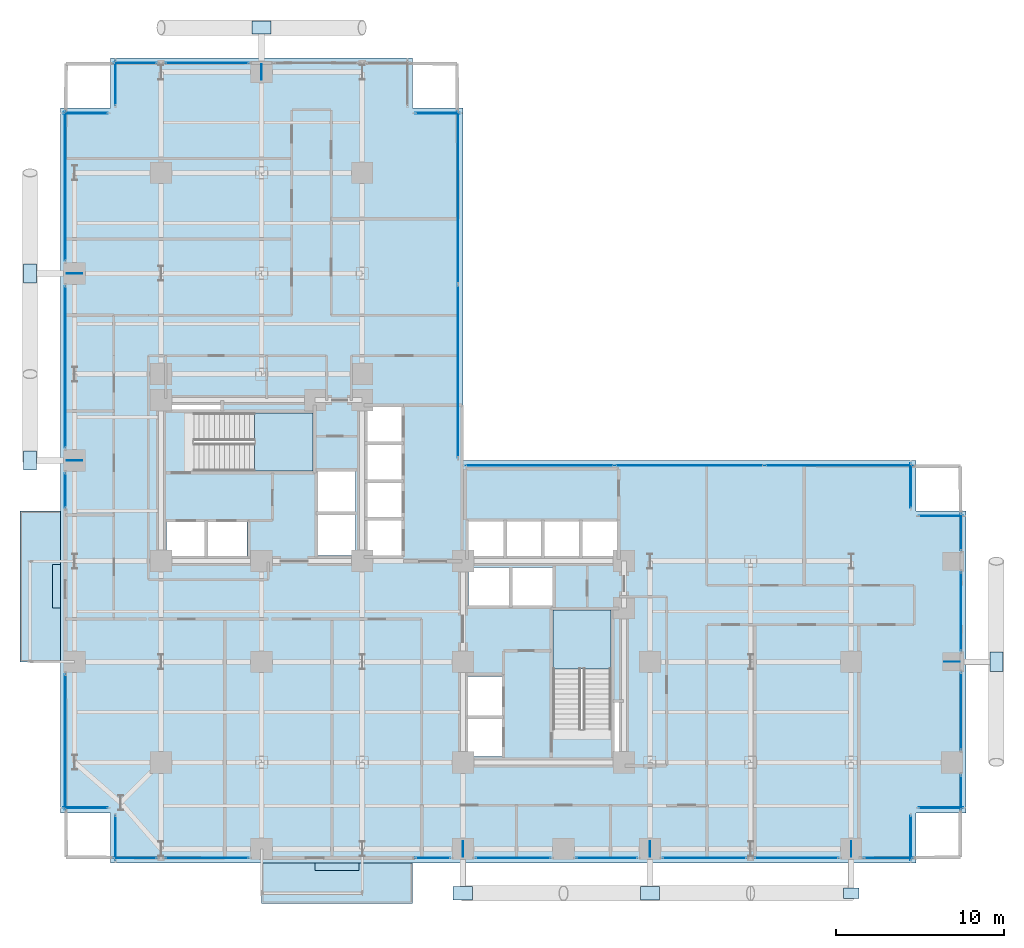
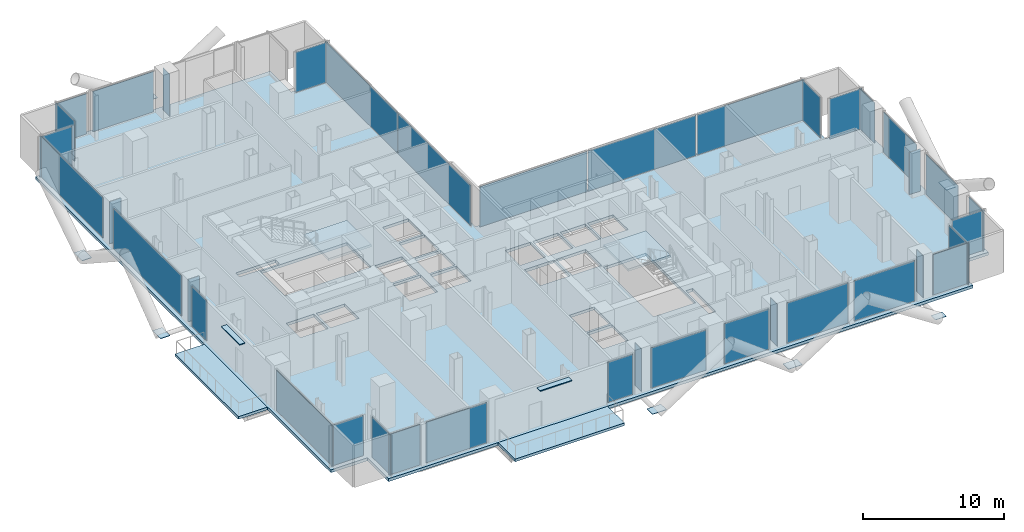
# One storey, part 17 of 25: 48 plates, 5 slabs, 31 elements without a shape of their own.
"""IFC4 building model written with IfcOpenShell, lengths in metres."""

from ifc_helpers import new_model, si_unit, direction, frame, origin, origin_2d, place, context, subcontext, project, spatial, polyline, rectangle, outline, extrude, material, layer, layer_set, type_object, element, aggregate, save


model = new_model("IFC4")

# Units and contexts
model_context = context("Model", 3, precision=1e-05, world=origin(), true_north=direction((0.0, 1.0)))
body_context = subcontext(model_context, "Body", "Model", "MODEL_VIEW")
ifc_project = project(units=[si_unit("LENGTHUNIT", "METRE"), si_unit("AREAUNIT", "SQUARE_METRE"), si_unit("VOLUMEUNIT", "CUBIC_METRE"), si_unit("PLANEANGLEUNIT", "RADIAN"), si_unit("MASSUNIT", "GRAM", prefix="KILO"), si_unit("THERMODYNAMICTEMPERATUREUNIT", "KELVIN"), si_unit("POWERUNIT", "WATT")], contexts=[model_context])

# Site, building, storey
site_placement = place(None, origin())
site = spatial("IfcSite", under=ifc_project, at=site_placement, CompositionType="ELEMENT")
building_placement = place(site_placement, origin())
building = spatial("IfcBuilding", under=site, at=building_placement, Name="Svarakhadi Broadcast Tower", CompositionType="ELEMENT")
storey_placement = place(building_placement, frame((0.0, 0.0, 67.5)))
storey = spatial("IfcBuildingStorey", under=building, at=storey_placement, Name="L15", CompositionType="ELEMENT", Elevation=67.5)

# Curtain wall, plate
ifc_material_1 = material(Name="Anodised Bronze Aluminium AA 6063-T6", Category="aluminium")
ifc_layer_1 = layer(ifc_material_1, 0.219970703125)
ifc_layer_set_1 = layer_set([ifc_layer_1], Name="Anodised Bronze Aluminium AA 6063-T6")
curtain_wall_type = type_object("IfcCurtainWallType", Name="CW_Sys_02", PredefinedType="NOTDEFINED", material=ifc_layer_set_1)
curtain_wall_1_placement = place(storey_placement, origin())
curtain_wall_1 = element("IfcCurtainWall", 1, at=curtain_wall_1_placement, inside=storey, type_object=curtain_wall_type, Name="L15 Unitised Facade Curtain Wall 01", PredefinedType="NOTDEFINED")
ifc_material_2 = material(Name="Double Low-E Laminated Acoustic Glass IGU 36 mm", Category="glass")
ifc_layer_2 = layer(ifc_material_2, 0.035888671875)
ifc_layer_set_2 = layer_set([ifc_layer_2], Name="Double Low-E Laminated Acoustic Glass IGU 36 mm")
plate_type_1 = type_object("IfcPlateType", Name="CW_Sys_02_Pnl", PredefinedType="CURTAIN_PANEL", material=ifc_layer_set_2)
plate_1_placement = place(storey_placement, frame((1.5, 3.300048828125, 0.074951171875), z_axis=(0.0, 0.0, 1.0), x_axis=(-1.0, 0.0, 0.0)))
plate_1 = element("IfcPlate", 2, at=plate_1_placement, type_object=plate_type_1, Name="CW-02 panel 1.1", PredefinedType="CURTAIN_PANEL", context=body_context, shape_type="SweptSolid", body=[
    extrude(rectangle(XDim=2.64990234375, YDim=0.035888671875, at=origin_2d()), origin(), (0.0, 0.0, 1.0), 3.5),
])
aggregate(curtain_wall_1, [plate_1])

curtain_wall_2_placement = place(storey_placement, origin())
curtain_wall_2 = element("IfcCurtainWall", 3, at=curtain_wall_2_placement, inside=storey, type_object=curtain_wall_type, Name="L15 West Curtain Wall 02", PredefinedType="NOTDEFINED")
plate_2_placement = place(storey_placement, frame((0.300048828125, 7.2099609375, 0.074951171875), z_axis=(0.0, 0.0, 1.0), x_axis=(0.0, 1.0, 0.0)))
plate_2 = element("IfcPlate", 4, at=plate_2_placement, type_object=plate_type_1, Name="CW-02 panel 1.1", PredefinedType="CURTAIN_PANEL", context=body_context, shape_type="SweptSolid", body=[
    extrude(rectangle(XDim=8.070068359375, YDim=0.035888671875, at=origin_2d()), origin(), (0.0, 0.0, 1.0), 3.5),
])
aggregate(curtain_wall_2, [plate_2])

curtain_wall_3_placement = place(storey_placement, origin())
curtain_wall_3 = element("IfcCurtainWall", 5, at=curtain_wall_3_placement, inside=storey, type_object=curtain_wall_type, Name="L15 West Curtain Wall 03 Bay 1", PredefinedType="NOTDEFINED")
plate_3_placement = place(storey_placement, frame((0.300048828125, 22.2099609375, 0.074951171875), z_axis=(0.0, 0.0, 1.0), x_axis=(0.0, 1.0, 0.0)))
plate_3 = element("IfcPlate", 6, at=plate_3_placement, type_object=plate_type_1, Name="CW-02 panel 1.1", PredefinedType="CURTAIN_PANEL", context=body_context, shape_type="SweptSolid", body=[
    extrude(rectangle(XDim=2.070068359375, YDim=0.035888671875, at=origin_2d()), origin(), (0.0, 0.0, 1.0), 3.5),
])
aggregate(curtain_wall_3, [plate_3])

curtain_wall_4_placement = place(storey_placement, origin())
curtain_wall_4 = element("IfcCurtainWall", 7, at=curtain_wall_4_placement, inside=storey, type_object=curtain_wall_type, Name="L15 West Curtain Wall 03 Bay 2", PredefinedType="NOTDEFINED")
plate_4_placement = place(storey_placement, frame((0.300048828125, 29.574951171875, 0.074951171875), z_axis=(0.0, 0.0, 1.0), x_axis=(0.0, 1.0, 0.0)))
plate_4 = element("IfcPlate", 8, at=plate_4_placement, type_object=plate_type_1, Name="CW-02 panel 1.1", PredefinedType="CURTAIN_PANEL", context=body_context, shape_type="SweptSolid", body=[
    extrude(rectangle(XDim=9.639892578125, YDim=0.035888671875, at=origin_2d()), origin(), (0.0, 0.0, 1.0), 3.5),
])
aggregate(curtain_wall_4, [plate_4])

curtain_wall_5_placement = place(storey_placement, origin())
curtain_wall_5 = element("IfcCurtainWall", 9, at=curtain_wall_5_placement, inside=storey, type_object=curtain_wall_type, Name="L15 West Curtain Wall 03 Bay 3", PredefinedType="NOTDEFINED")
plate_5_placement = place(storey_placement, frame((0.300048828125, 40.364990234375, 0.074951171875), z_axis=(0.0, 0.0, 1.0), x_axis=(0.0, 1.0, 0.0)))
plate_5 = element("IfcPlate", 10, at=plate_5_placement, type_object=plate_type_1, Name="CW-02 panel 1.1", PredefinedType="CURTAIN_PANEL", context=body_context, shape_type="SweptSolid", body=[
    extrude(rectangle(XDim=8.919921875, YDim=0.035888671875, at=origin_2d()), origin(), (0.0, 0.0, 1.0), 3.5),
])
aggregate(curtain_wall_5, [plate_5])

curtain_wall_6_placement = place(storey_placement, origin())
curtain_wall_6 = element("IfcCurtainWall", 11, at=curtain_wall_6_placement, inside=storey, type_object=curtain_wall_type, Name="L15 Unitised Facade Curtain Wall 04", PredefinedType="NOTDEFINED")
plate_6_placement = place(storey_placement, frame((1.5, 44.699951171875, 0.074951171875), z_axis=(0.0, 0.0, 1.0), x_axis=(1.0, 0.0, 0.0)))
plate_6 = element("IfcPlate", 12, at=plate_6_placement, type_object=plate_type_1, Name="CW-02 panel 1.1", PredefinedType="CURTAIN_PANEL", context=body_context, shape_type="SweptSolid", body=[
    extrude(rectangle(XDim=2.64990234375, YDim=0.035888671875, at=origin_2d()), origin(), (0.0, 0.0, 1.0), 3.5),
])
aggregate(curtain_wall_6, [plate_6])

curtain_wall_7_placement = place(storey_placement, origin())
curtain_wall_7 = element("IfcCurtainWall", 13, at=curtain_wall_7_placement, inside=storey, type_object=curtain_wall_type, Name="L15 Unitised Facade Curtain Wall 05", PredefinedType="NOTDEFINED")
plate_7_placement = place(storey_placement, frame((3.300048828125, 46.5, 0.074951171875), z_axis=(0.0, 0.0, 1.0), x_axis=(0.0, 1.0, 0.0)))
plate_7 = element("IfcPlate", 14, at=plate_7_placement, type_object=plate_type_1, Name="CW-02 panel 1.1", PredefinedType="CURTAIN_PANEL", context=body_context, shape_type="SweptSolid", body=[
    extrude(rectangle(XDim=2.64990234375, YDim=0.035888671875, at=origin_2d()), origin(), (0.0, 0.0, 1.0), 3.5),
])
aggregate(curtain_wall_7, [plate_7])

curtain_wall_8_placement = place(storey_placement, origin())
curtain_wall_8 = element("IfcCurtainWall", 15, at=curtain_wall_8_placement, inside=storey, type_object=curtain_wall_type, Name="L15 Unitised Facade Curtain Wall 06 Bay 1", PredefinedType="NOTDEFINED")
plate_8_placement = place(storey_placement, frame((4.4599609375, 47.699951171875, 0.074951171875), z_axis=(0.0, 0.0, 1.0), x_axis=(1.0, 0.0, 0.0)))
plate_8 = element("IfcPlate", 16, at=plate_8_placement, type_object=plate_type_1, Name="CW-02 panel 1.1", PredefinedType="CURTAIN_PANEL", context=body_context, shape_type="SweptSolid", body=[
    extrude(rectangle(XDim=2.570068359375, YDim=0.035888671875, at=origin_2d()), origin(), (0.0, 0.0, 1.0), 3.5),
])
aggregate(curtain_wall_8, [plate_8])

curtain_wall_9_placement = place(storey_placement, origin())
curtain_wall_9 = element("IfcCurtainWall", 17, at=curtain_wall_9_placement, inside=storey, type_object=curtain_wall_type, Name="L15 Unitised Facade Curtain Wall 06 Bay 2", PredefinedType="NOTDEFINED")
plate_9_placement = place(storey_placement, frame((8.75, 47.699951171875, 0.074951171875), z_axis=(0.0, 0.0, 1.0), x_axis=(1.0, 0.0, 0.0)))
plate_9 = element("IfcPlate", 18, at=plate_9_placement, type_object=plate_type_1, Name="CW-02 panel 1.1", PredefinedType="CURTAIN_PANEL", context=body_context, shape_type="SweptSolid", body=[
    extrude(rectangle(XDim=4.989990234375, YDim=0.035888671875, at=origin_2d()), origin(), (0.0, 0.0, 1.0), 3.5),
])
aggregate(curtain_wall_9, [plate_9])

curtain_wall_10_placement = place(storey_placement, origin())
curtain_wall_10 = element("IfcCurtainWall", 19, at=curtain_wall_10_placement, inside=storey, type_object=curtain_wall_type, Name="L15 Unitised Facade Curtain Wall 08", PredefinedType="NOTDEFINED")
plate_10_placement = place(storey_placement, frame((22.5, 44.699951171875, 0.074951171875), z_axis=(0.0, 0.0, 1.0), x_axis=(1.0, 0.0, 0.0)))
plate_10 = element("IfcPlate", 20, at=plate_10_placement, type_object=plate_type_1, Name="CW-02 panel 1.1", PredefinedType="CURTAIN_PANEL", context=body_context, shape_type="SweptSolid", body=[
    extrude(rectangle(XDim=2.64990234375, YDim=0.035888671875, at=origin_2d()), origin(), (0.0, 0.0, 1.0), 3.5),
])
aggregate(curtain_wall_10, [plate_10])

# Curtain wall, plates
curtain_wall_11_placement = place(storey_placement, origin())
curtain_wall_11 = element("IfcCurtainWall", 21, at=curtain_wall_11_placement, inside=storey, type_object=curtain_wall_type, Name="L15 Unitised Facade Curtain Wall 09", PredefinedType="NOTDEFINED")
plate_11_placement = place(storey_placement, frame((23.699951171875, 39.683837890625, 0.074951171875), z_axis=(0.0, 0.0, 1.0), x_axis=(0.0, -1.0, 0.0)))
plate_11 = element("IfcPlate", 22, at=plate_11_placement, type_object=plate_type_1, Name="CW-02 panel 1.1", PredefinedType="CURTAIN_PANEL", context=body_context, shape_type="SweptSolid", body=[
    extrude(rectangle(XDim=10.282470703125, YDim=0.035888671875, at=origin_2d()), origin(), (0.0, 0.0, 1.0), 3.5),
])
plate_12_placement = place(storey_placement, frame((23.699951171875, 29.316162109375, 0.074951171875), z_axis=(0.0, 0.0, 1.0), x_axis=(0.0, -1.0, 0.0)))
plate_12 = element("IfcPlate", 23, at=plate_12_placement, type_object=plate_type_1, Name="CW-02 panel 2.1", PredefinedType="CURTAIN_PANEL", context=body_context, shape_type="SweptSolid", body=[
    extrude(rectangle(XDim=10.282470703125, YDim=0.035888671875, at=origin_2d()), origin(), (0.0, 0.0, 1.0), 3.5),
])
aggregate(curtain_wall_11, [plate_11, plate_12])

curtain_wall_12_placement = place(storey_placement, origin())
curtain_wall_12 = element("IfcCurtainWall", 24, at=curtain_wall_12_placement, inside=storey, type_object=curtain_wall_type, Name="L15 Unitised Facade Curtain Wall 10", PredefinedType="NOTDEFINED")
plate_13_placement = place(storey_placement, frame((28.581298828125, 23.699951171875, 0.074951171875), z_axis=(0.0, 0.0, 1.0), x_axis=(1.0, 0.0, 0.0)))
plate_13 = element("IfcPlate", 25, at=plate_13_placement, type_object=plate_type_1, Name="CW-02 panel 1.1", PredefinedType="CURTAIN_PANEL", context=body_context, shape_type="SweptSolid", body=[
    extrude(rectangle(XDim=8.8125, YDim=0.035888671875, at=origin_2d()), origin(), (0.0, 0.0, 1.0), 3.5),
])
plate_14_placement = place(storey_placement, frame((37.5, 23.699951171875, 0.074951171875), z_axis=(0.0, 0.0, 1.0), x_axis=(1.0, 0.0, 0.0)))
plate_14 = element("IfcPlate", 26, at=plate_14_placement, type_object=plate_type_1, Name="CW-02 panel 2.1", PredefinedType="CURTAIN_PANEL", context=body_context, shape_type="SweptSolid", body=[
    extrude(rectangle(XDim=8.85498046875, YDim=0.035888671875, at=origin_2d()), origin(), (0.0, 0.0, 1.0), 3.5),
])
plate_15_placement = place(storey_placement, frame((46.418701171875, 23.699951171875, 0.074951171875), z_axis=(0.0, 0.0, 1.0), x_axis=(1.0, 0.0, 0.0)))
plate_15 = element("IfcPlate", 27, at=plate_15_placement, type_object=plate_type_1, Name="CW-02 panel 3.1", PredefinedType="CURTAIN_PANEL", context=body_context, shape_type="SweptSolid", body=[
    extrude(rectangle(XDim=8.8125, YDim=0.035888671875, at=origin_2d()), origin(), (0.0, 0.0, 1.0), 3.5),
])
aggregate(curtain_wall_12, [plate_13, plate_14, plate_15])

# Curtain wall, plate
curtain_wall_13_placement = place(storey_placement, origin())
curtain_wall_13 = element("IfcCurtainWall", 28, at=curtain_wall_13_placement, inside=storey, type_object=curtain_wall_type, Name="L15 Unitised Facade Curtain Wall 11", PredefinedType="NOTDEFINED")
plate_16_placement = place(storey_placement, frame((50.699951171875, 22.5, 0.074951171875), z_axis=(0.0, 0.0, 1.0), x_axis=(0.0, -1.0, 0.0)))
plate_16 = element("IfcPlate", 29, at=plate_16_placement, type_object=plate_type_1, Name="CW-02 panel 1.1", PredefinedType="CURTAIN_PANEL", context=body_context, shape_type="SweptSolid", body=[
    extrude(rectangle(XDim=2.64990234375, YDim=0.035888671875, at=origin_2d()), origin(), (0.0, 0.0, 1.0), 3.5),
])
aggregate(curtain_wall_13, [plate_16])

curtain_wall_14_placement = place(storey_placement, origin())
curtain_wall_14 = element("IfcCurtainWall", 30, at=curtain_wall_14_placement, inside=storey, type_object=curtain_wall_type, Name="L15 Unitised Facade Curtain Wall 12", PredefinedType="NOTDEFINED")
plate_17_placement = place(storey_placement, frame((52.5, 20.699951171875, 0.074951171875), z_axis=(0.0, 0.0, 1.0), x_axis=(1.0, 0.0, 0.0)))
plate_17 = element("IfcPlate", 31, at=plate_17_placement, type_object=plate_type_1, Name="CW-02 panel 1.1", PredefinedType="CURTAIN_PANEL", context=body_context, shape_type="SweptSolid", body=[
    extrude(rectangle(XDim=2.64990234375, YDim=0.035888671875, at=origin_2d()), origin(), (0.0, 0.0, 1.0), 3.5),
])
aggregate(curtain_wall_14, [plate_17])

curtain_wall_15_placement = place(storey_placement, origin())
curtain_wall_15 = element("IfcCurtainWall", 32, at=curtain_wall_15_placement, inside=storey, type_object=curtain_wall_type, Name="L15 Unitised Facade Curtain Wall 13 Bay 1", PredefinedType="NOTDEFINED")
plate_18_placement = place(storey_placement, frame((53.699951171875, 19.739990234375, 0.074951171875), z_axis=(0.0, 0.0, 1.0), x_axis=(0.0, -1.0, 0.0)))
plate_18 = element("IfcPlate", 33, at=plate_18_placement, type_object=plate_type_1, Name="CW-02 panel 1.1", PredefinedType="CURTAIN_PANEL", context=body_context, shape_type="SweptSolid", body=[
    extrude(rectangle(XDim=2.169921875, YDim=0.035888671875, at=origin_2d()), origin(), (0.0, 0.0, 1.0), 3.5),
])
aggregate(curtain_wall_15, [plate_18])

curtain_wall_16_placement = place(storey_placement, origin())
curtain_wall_16 = element("IfcCurtainWall", 34, at=curtain_wall_16_placement, inside=storey, type_object=curtain_wall_type, Name="L15 Unitised Facade Curtain Wall 13 Bay 2", PredefinedType="NOTDEFINED")
plate_19_placement = place(storey_placement, frame((53.699951171875, 15.0, 0.074951171875), z_axis=(0.0, 0.0, 1.0), x_axis=(0.0, -1.0, 0.0)))
plate_19 = element("IfcPlate", 35, at=plate_19_placement, type_object=plate_type_1, Name="CW-02 panel 1.1", PredefinedType="CURTAIN_PANEL", context=body_context, shape_type="SweptSolid", body=[
    extrude(rectangle(XDim=4.68994140625, YDim=0.035888671875, at=origin_2d()), origin(), (0.0, 0.0, 1.0), 3.5),
])
aggregate(curtain_wall_16, [plate_19])

curtain_wall_17_placement = place(storey_placement, origin())
curtain_wall_17 = element("IfcCurtainWall", 36, at=curtain_wall_17_placement, inside=storey, type_object=curtain_wall_type, Name="L15 Unitised Facade Curtain Wall 13 Bay 3", PredefinedType="NOTDEFINED")
plate_20_placement = place(storey_placement, frame((53.699951171875, 9.050048828125, 0.074951171875), z_axis=(0.0, 0.0, 1.0), x_axis=(0.0, -1.0, 0.0)))
plate_20 = element("IfcPlate", 37, at=plate_20_placement, type_object=plate_type_1, Name="CW-02 panel 1.1", PredefinedType="CURTAIN_PANEL", context=body_context, shape_type="SweptSolid", body=[
    extrude(rectangle(XDim=4.590087890625, YDim=0.035888671875, at=origin_2d()), origin(), (0.0, 0.0, 1.0), 3.5),
])
aggregate(curtain_wall_17, [plate_20])

curtain_wall_18_placement = place(storey_placement, origin())
curtain_wall_18 = element("IfcCurtainWall", 38, at=curtain_wall_18_placement, inside=storey, type_object=curtain_wall_type, Name="L15 Unitised Facade Curtain Wall 13 Bay 4", PredefinedType="NOTDEFINED")
plate_21_placement = place(storey_placement, frame((53.699951171875, 4.2099609375, 0.074951171875), z_axis=(0.0, 0.0, 1.0), x_axis=(0.0, -1.0, 0.0)))
plate_21 = element("IfcPlate", 39, at=plate_21_placement, type_object=plate_type_1, Name="CW-02 panel 1.1", PredefinedType="CURTAIN_PANEL", context=body_context, shape_type="SweptSolid", body=[
    extrude(rectangle(XDim=2.070068359375, YDim=0.035888671875, at=origin_2d()), origin(), (0.0, 0.0, 1.0), 3.5),
])
aggregate(curtain_wall_18, [plate_21])

curtain_wall_19_placement = place(storey_placement, origin())
curtain_wall_19 = element("IfcCurtainWall", 40, at=curtain_wall_19_placement, inside=storey, type_object=curtain_wall_type, Name="L15 Unitised Facade Curtain Wall 14", PredefinedType="NOTDEFINED")
plate_22_placement = place(storey_placement, frame((52.5, 3.300048828125, 0.074951171875), z_axis=(0.0, 0.0, 1.0), x_axis=(-1.0, 0.0, 0.0)))
plate_22 = element("IfcPlate", 41, at=plate_22_placement, type_object=plate_type_1, Name="CW-02 panel 1.1", PredefinedType="CURTAIN_PANEL", context=body_context, shape_type="SweptSolid", body=[
    extrude(rectangle(XDim=2.64990234375, YDim=0.035888671875, at=origin_2d()), origin(), (0.0, 0.0, 1.0), 3.5),
])
aggregate(curtain_wall_19, [plate_22])

curtain_wall_20_placement = place(storey_placement, origin())
curtain_wall_20 = element("IfcCurtainWall", 42, at=curtain_wall_20_placement, inside=storey, type_object=curtain_wall_type, Name="L15 Unitised Facade Curtain Wall 15", PredefinedType="NOTDEFINED")
plate_23_placement = place(storey_placement, frame((50.699951171875, 1.5, 0.074951171875), z_axis=(0.0, 0.0, 1.0), x_axis=(0.0, -1.0, 0.0)))
plate_23 = element("IfcPlate", 43, at=plate_23_placement, type_object=plate_type_1, Name="CW-02 panel 1.1", PredefinedType="CURTAIN_PANEL", context=body_context, shape_type="SweptSolid", body=[
    extrude(rectangle(XDim=2.64990234375, YDim=0.035888671875, at=origin_2d()), origin(), (0.0, 0.0, 1.0), 3.5),
])
aggregate(curtain_wall_20, [plate_23])

curtain_wall_21_placement = place(storey_placement, origin())
curtain_wall_21 = element("IfcCurtainWall", 44, at=curtain_wall_21_placement, inside=storey, type_object=curtain_wall_type, Name="L15 South Curtain Wall 16 Bay 1", PredefinedType="NOTDEFINED")
plate_24_placement = place(storey_placement, frame((49.364990234375, 0.300048828125, 0.074951171875), z_axis=(0.0, 0.0, 1.0), x_axis=(-1.0, 0.0, 0.0)))
plate_24 = element("IfcPlate", 45, at=plate_24_placement, type_object=plate_type_1, Name="CW-02 panel 1.1", PredefinedType="CURTAIN_PANEL", context=body_context, shape_type="SweptSolid", body=[
    extrude(rectangle(XDim=2.919921875, YDim=0.035888671875, at=origin_2d()), origin(), (0.0, 0.0, 1.0), 3.5),
])
aggregate(curtain_wall_21, [plate_24])

curtain_wall_22_placement = place(storey_placement, origin())
curtain_wall_22 = element("IfcCurtainWall", 46, at=curtain_wall_22_placement, inside=storey, type_object=curtain_wall_type, Name="L15 South Curtain Wall 16 Bay 2", PredefinedType="NOTDEFINED")
plate_25_placement = place(storey_placement, frame((43.89990234375, 0.300048828125, 0.074951171875), z_axis=(0.0, 0.0, 1.0), x_axis=(-1.0, 0.0, 0.0)))
plate_25 = element("IfcPlate", 47, at=plate_25_placement, type_object=plate_type_1, Name="CW-02 panel 1.1", PredefinedType="CURTAIN_PANEL", context=body_context, shape_type="SweptSolid", body=[
    extrude(rectangle(XDim=4.989990234375, YDim=0.035888671875, at=origin_2d()), origin(), (0.0, 0.0, 1.0), 3.5),
])
aggregate(curtain_wall_22, [plate_25])

curtain_wall_23_placement = place(storey_placement, origin())
curtain_wall_23 = element("IfcCurtainWall", 48, at=curtain_wall_23_placement, inside=storey, type_object=curtain_wall_type, Name="L15 South Curtain Wall 16 Bay 3", PredefinedType="NOTDEFINED")
plate_26_placement = place(storey_placement, frame((38.39990234375, 0.300048828125, 0.074951171875), z_axis=(0.0, 0.0, 1.0), x_axis=(-1.0, 0.0, 0.0)))
plate_26 = element("IfcPlate", 49, at=plate_26_placement, type_object=plate_type_1, Name="CW-02 panel 1.1", PredefinedType="CURTAIN_PANEL", context=body_context, shape_type="SweptSolid", body=[
    extrude(rectangle(XDim=4.989990234375, YDim=0.035888671875, at=origin_2d()), origin(), (0.0, 0.0, 1.0), 3.5),
])
aggregate(curtain_wall_23, [plate_26])

curtain_wall_24_placement = place(storey_placement, origin())
curtain_wall_24 = element("IfcCurtainWall", 50, at=curtain_wall_24_placement, inside=storey, type_object=curtain_wall_type, Name="L15 South Curtain Wall 16 Bay 4", PredefinedType="NOTDEFINED")
plate_27_placement = place(storey_placement, frame((32.574951171875, 0.300048828125, 0.074951171875), z_axis=(0.0, 0.0, 1.0), x_axis=(-1.0, 0.0, 0.0)))
plate_27 = element("IfcPlate", 51, at=plate_27_placement, type_object=plate_type_1, Name="CW-02 panel 1.1", PredefinedType="CURTAIN_PANEL", context=body_context, shape_type="SweptSolid", body=[
    extrude(rectangle(XDim=3.639892578125, YDim=0.035888671875, at=origin_2d()), origin(), (0.0, 0.0, 1.0), 3.5),
])
aggregate(curtain_wall_24, [plate_27])

curtain_wall_25_placement = place(storey_placement, origin())
curtain_wall_25 = element("IfcCurtainWall", 52, at=curtain_wall_25_placement, inside=storey, type_object=curtain_wall_type, Name="L15 South Curtain Wall 16 Bay 5", PredefinedType="NOTDEFINED")
plate_28_placement = place(storey_placement, frame((27.0, 0.300048828125, 0.074951171875), z_axis=(0.0, 0.0, 1.0), x_axis=(-1.0, 0.0, 0.0)))
plate_28 = element("IfcPlate", 53, at=plate_28_placement, type_object=plate_type_1, Name="CW-02 panel 1.1", PredefinedType="CURTAIN_PANEL", context=body_context, shape_type="SweptSolid", body=[
    extrude(rectangle(XDim=4.489990234375, YDim=0.035888671875, at=origin_2d()), origin(), (0.0, 0.0, 1.0), 3.5),
])
aggregate(curtain_wall_25, [plate_28])

curtain_wall_26_placement = place(storey_placement, origin())
curtain_wall_26 = element("IfcCurtainWall", 54, at=curtain_wall_26_placement, inside=storey, type_object=curtain_wall_type, Name="L15 South Curtain Wall 16 Bay 6", PredefinedType="NOTDEFINED")
plate_29_placement = place(storey_placement, frame((22.2099609375, 0.300048828125, 0.074951171875), z_axis=(0.0, 0.0, 1.0), x_axis=(-1.0, 0.0, 0.0)))
plate_29 = element("IfcPlate", 55, at=plate_29_placement, type_object=plate_type_1, Name="CW-02 panel 1.1", PredefinedType="CURTAIN_PANEL", context=body_context, shape_type="SweptSolid", body=[
    extrude(rectangle(XDim=2.070068359375, YDim=0.035888671875, at=origin_2d()), origin(), (0.0, 0.0, 1.0), 3.5),
])
aggregate(curtain_wall_26, [plate_29])

curtain_wall_27_placement = place(storey_placement, origin())
curtain_wall_27 = element("IfcCurtainWall", 56, at=curtain_wall_27_placement, inside=storey, type_object=curtain_wall_type, Name="L15 South Curtain Wall 17 Bay 1", PredefinedType="NOTDEFINED")
plate_30_placement = place(storey_placement, frame((8.75, 0.300048828125, 0.074951171875), z_axis=(0.0, 0.0, 1.0), x_axis=(-1.0, 0.0, 0.0)))
plate_30 = element("IfcPlate", 57, at=plate_30_placement, type_object=plate_type_1, Name="CW-02 panel 1.1", PredefinedType="CURTAIN_PANEL", context=body_context, shape_type="SweptSolid", body=[
    extrude(rectangle(XDim=4.989990234375, YDim=0.035888671875, at=origin_2d()), origin(), (0.0, 0.0, 1.0), 3.5),
])
aggregate(curtain_wall_27, [plate_30])

curtain_wall_28_placement = place(storey_placement, origin())
curtain_wall_28 = element("IfcCurtainWall", 58, at=curtain_wall_28_placement, inside=storey, type_object=curtain_wall_type, Name="L15 South Curtain Wall 17 Bay 2", PredefinedType="NOTDEFINED")
plate_31_placement = place(storey_placement, frame((4.4599609375, 0.300048828125, 0.074951171875), z_axis=(0.0, 0.0, 1.0), x_axis=(-1.0, 0.0, 0.0)))
plate_31 = element("IfcPlate", 59, at=plate_31_placement, type_object=plate_type_1, Name="CW-02 panel 1.1", PredefinedType="CURTAIN_PANEL", context=body_context, shape_type="SweptSolid", body=[
    extrude(rectangle(XDim=2.570068359375, YDim=0.035888671875, at=origin_2d()), origin(), (0.0, 0.0, 1.0), 3.5),
])
aggregate(curtain_wall_28, [plate_31])

curtain_wall_29_placement = place(storey_placement, origin())
curtain_wall_29 = element("IfcCurtainWall", 60, at=curtain_wall_29_placement, inside=storey, type_object=curtain_wall_type, Name="L15 Unitised Facade Curtain Wall 18", PredefinedType="NOTDEFINED")
plate_32_placement = place(storey_placement, frame((3.300048828125, 1.5, 0.074951171875), z_axis=(0.0, 0.0, 1.0), x_axis=(0.0, 1.0, 0.0)))
plate_32 = element("IfcPlate", 61, at=plate_32_placement, type_object=plate_type_1, Name="CW-02 panel 1.1", PredefinedType="CURTAIN_PANEL", context=body_context, shape_type="SweptSolid", body=[
    extrude(rectangle(XDim=2.64990234375, YDim=0.035888671875, at=origin_2d()), origin(), (0.0, 0.0, 1.0), 3.5),
])
aggregate(curtain_wall_29, [plate_32])

# Plates
ifc_material_3 = material(Name="Steel S460ML (IS 2062 E450BR)", Category="steel")
ifc_layer_3 = layer(ifc_material_3, 0.035888671875)
ifc_layer_set_3 = layer_set([ifc_layer_3], Name="Steel S460ML (IS 2062 E450BR)")
plate_type_2 = type_object("IfcPlateType", Name="Node_Gusset_N01", PredefinedType="SHEET", material=ifc_layer_set_3)
for number, where, z_axis, x_axis, name in (
    (62, (24.0, -1.800048828125, -0.25), (0.0, 0.0, 1.0), (1.0, 0.0, 0.0), "L15 Exoskeleton Gusset Node Plate S01"),
    (63, (35.14990234375, -1.800048828125, -0.25), (0.0, 0.0, 1.0), (1.0, 0.0, 0.0), "L15 Exoskeleton Gusset Node Plate S02"),
    (64, (-1.800048828125, 24.0, -0.25), (0.0, 0.0, 1.0), (0.0, 1.0, 0.0), "L15 Exoskeleton Gusset Node Plate W04"),
    (65, (-1.800048828125, 35.14990234375, -0.25), (0.0, 0.0, 1.0), (0.0, 1.0, 0.0), "L15 Exoskeleton Gusset Node Plate W05"),
    (66, (55.800048828125, 12.0, -0.25), (0.0, 0.0, 1.0), (0.0, 1.0, 0.0), "L15 Exoskeleton Gusset Node Plate E06"),
    (67, (12.0, 49.800048828125, -0.25), (0.0, 0.0, 1.0), (1.0, 0.0, 0.0), "L15 Exoskeleton Gusset Node Plate N07"),
):
    element("IfcPlate", number, at=place(storey_placement, frame(where, z_axis=z_axis, x_axis=x_axis)), inside=storey, type_object=plate_type_2, Name=name, PredefinedType="SHEET", context=body_context, shape_type="SweptSolid", body=[
        extrude(rectangle(XDim=1.14990234375, YDim=0.780029296875, at=origin_2d()), origin(), (0.0, 0.0, 1.0), 0.035888671875),
    ])
ifc_layer_4 = layer(ifc_material_3, 0.02587890625)
ifc_layer_set_4 = layer_set([ifc_layer_4], Name="Steel S460ML (IS 2062 E450BR)")
plate_type_3 = type_object("IfcPlateType", Name="Node_Gusset_N07", PredefinedType="SHEET", material=ifc_layer_set_4)
plate_33_placement = place(storey_placement, frame((47.14990234375, -1.800048828125, -0.25), z_axis=(0.0, 0.0, 1.0), x_axis=(1.0, 0.0, 0.0)))
element("IfcPlate", 68, at=plate_33_placement, inside=storey, type_object=plate_type_3, Name="L15 Exoskeleton Gusset Node Plate S03", PredefinedType="SHEET", context=body_context, shape_type="SweptSolid", body=[
    extrude(rectangle(XDim=0.919921875, YDim=0.6201171875, at=origin_2d()), origin(), (0.0, 0.0, 1.0), 0.02587890625),
])
for number, where, z_axis, x_axis, name in (
    (69, (24.0, 0.85009765625, -0.6279296875), (0.0, 0.0, 1.0), (0.0, 1.0, 0.0), "L15 Brace End Connection Gusset Plate N-07-E0103"),
    (70, (35.14990234375, 0.85009765625, -0.6279296875), (0.0, 0.0, 1.0), (0.0, 1.0, 0.0), "L15 Brace End Connection Gusset Plate N-07-E0104"),
    (71, (47.14990234375, 0.85009765625, -0.6279296875), (0.0, 0.0, 1.0), (0.0, 1.0, 0.0), "L15 Brace End Connection Gusset Plate N-07-E0105"),
    (72, (0.85009765625, 24.0, -0.6279296875), (0.0, 0.0, 1.0), (1.0, 0.0, 0.0), "L15 Brace End Connection Gusset Plate N-07-E0106"),
    (73, (0.85009765625, 35.14990234375, -0.6279296875), (0.0, 0.0, 1.0), (1.0, 0.0, 0.0), "L15 Brace End Connection Gusset Plate N-07-E0107"),
    (74, (53.14990234375, 12.0, -0.6279296875), (0.0, 0.0, 1.0), (1.0, 0.0, 0.0), "L15 Brace End Connection Gusset Plate N-07-E0108"),
    (75, (12.0, 47.14990234375, -0.6279296875), (0.0, 0.0, 1.0), (0.0, 1.0, 0.0), "L15 Brace End Connection Gusset Plate N-07-E0109"),
):
    element("IfcPlate", number, at=place(storey_placement, frame(where, z_axis=z_axis, x_axis=x_axis)), inside=storey, type_object=plate_type_3, Name=name, PredefinedType="SHEET", context=body_context, shape_type="SweptSolid", body=[
        extrude(rectangle(XDim=0.919921875, YDim=0.02587890625, at=origin_2d()), origin(), (0.0, 0.0, 1.0), 4.300048828125),
    ])

# Slab
ifc_material_4 = material(Name="Concrete C40/50 (IS 456 M50)", Category="concrete")
ifc_layer_5 = layer(ifc_material_4, 0.25)
ifc_layer_set_5 = layer_set([ifc_layer_5], Name="Concrete C40/50 (IS 456 M50)")
slab_type_1 = type_object("IfcSlabType", Name="Slab_Floor_250", PredefinedType="FLOOR", material=ifc_layer_set_5)
slab_1_placement = place(storey_placement, frame((0.0, 0.0, -0.25)))
element("IfcSlab", 76, at=slab_1_placement, inside=storey, type_object=slab_type_1, Name="L15 Structural Floor Slab", PredefinedType="FLOOR", context=body_context, shape_type="SweptSolid", body=[
    extrude(outline(polyline([(3.0, 0.0), (51.0, 0.0), (51.0, 3.0), (54.0, 3.0), (54.0, 21.0), (51.0, 21.0), (51.0, 24.0), (24.0, 24.0), (24.0, 45.0), (21.0, 45.0), (21.0, 48.0), (3.0, 48.0), (3.0, 45.0), (0.0, 45.0), (0.0, 3.0), (3.0, 3.0), (3.0, 0.0)]), holes=[polyline([(7.97998046875, 23.360107421875), (15.080078125, 23.360107421875), (15.080078125, 26.840087890625), (7.97998046875, 26.840087890625), (7.97998046875, 23.360107421875)]), polyline([(32.840087890625, 7.97998046875), (32.840087890625, 15.080078125), (29.360107421875, 15.080078125), (29.360107421875, 7.97998046875), (32.840087890625, 7.97998046875)]), polyline([(6.340087890625, 18.2900390625), (8.610107421875, 18.2900390625), (8.610107421875, 20.330078125), (6.340087890625, 20.330078125), (6.340087890625, 18.2900390625)]), polyline([(8.7900390625, 18.2900390625), (11.1298828125, 18.2900390625), (11.1298828125, 20.330078125), (8.7900390625, 20.330078125), (8.7900390625, 18.2900390625)]), polyline([(24.2900390625, 6.340087890625), (26.330078125, 6.340087890625), (26.330078125, 8.610107421875), (24.2900390625, 8.610107421875), (24.2900390625, 6.340087890625)]), polyline([(24.2900390625, 8.7900390625), (26.330078125, 8.7900390625), (26.330078125, 11.1298828125), (24.2900390625, 11.1298828125), (24.2900390625, 8.7900390625)]), polyline([(6.340087890625, 26.989990234375), (9.610107421875, 26.989990234375), (9.610107421875, 27.530029296875), (6.340087890625, 27.530029296875), (6.340087890625, 26.989990234375)]), polyline([(32.989990234375, 6.340087890625), (33.530029296875, 6.340087890625), (33.530029296875, 9.610107421875), (32.989990234375, 9.610107421875), (32.989990234375, 6.340087890625)]), polyline([(15.340087890625, 18.340087890625), (17.610107421875, 18.340087890625), (17.610107421875, 20.760009765625), (15.340087890625, 20.760009765625), (15.340087890625, 18.340087890625)]), polyline([(15.340087890625, 20.93994140625), (17.610107421875, 20.93994140625), (17.610107421875, 23.360107421875), (15.340087890625, 23.360107421875), (15.340087890625, 20.93994140625)]), polyline([(24.340087890625, 15.340087890625), (26.760009765625, 15.340087890625), (26.760009765625, 17.610107421875), (24.340087890625, 17.610107421875), (24.340087890625, 15.340087890625)]), polyline([(26.93994140625, 15.340087890625), (29.360107421875, 15.340087890625), (29.360107421875, 17.610107421875), (26.93994140625, 17.610107421875), (26.93994140625, 15.340087890625)]), polyline([(18.239990234375, 18.340087890625), (20.360107421875, 18.340087890625), (20.360107421875, 20.429931640625), (18.239990234375, 20.429931640625), (18.239990234375, 18.340087890625)]), polyline([(18.239990234375, 20.610107421875), (20.360107421875, 20.610107421875), (20.360107421875, 22.679931640625), (18.239990234375, 22.679931640625), (18.239990234375, 20.610107421875)]), polyline([(18.239990234375, 22.860107421875), (20.360107421875, 22.860107421875), (20.360107421875, 24.929931640625), (18.239990234375, 24.929931640625), (18.239990234375, 22.860107421875)]), polyline([(18.239990234375, 25.110107421875), (20.360107421875, 25.110107421875), (20.360107421875, 27.2099609375), (18.239990234375, 27.2099609375), (18.239990234375, 25.110107421875)]), polyline([(24.340087890625, 18.239990234375), (26.429931640625, 18.239990234375), (26.429931640625, 20.360107421875), (24.340087890625, 20.360107421875), (24.340087890625, 18.239990234375)]), polyline([(26.610107421875, 18.239990234375), (28.679931640625, 18.239990234375), (28.679931640625, 20.360107421875), (26.610107421875, 20.360107421875), (26.610107421875, 18.239990234375)]), polyline([(28.860107421875, 18.239990234375), (30.929931640625, 18.239990234375), (30.929931640625, 20.360107421875), (28.860107421875, 20.360107421875), (28.860107421875, 18.239990234375)]), polyline([(31.110107421875, 18.239990234375), (33.2099609375, 18.239990234375), (33.2099609375, 20.360107421875), (31.110107421875, 20.360107421875), (31.110107421875, 18.239990234375)])]), origin(), (0.0, 0.0, 1.0), 0.25),
])

# Stair, slab
stair_type = type_object("IfcStairType", Name="Stair_Exit_Core", PredefinedType="HALF_TURN_STAIR", material=ifc_material_4)
stair_1_placement = place(storey_placement, origin())
stair_1 = element("IfcStair", 77, at=stair_1_placement, inside=storey, type_object=stair_type, Name="L15 West Core Protected Exit Stair ST-01", PredefinedType="HALF_TURN_STAIR")
ifc_layer_6 = layer(ifc_material_4, 0.199951171875)
ifc_layer_set_6 = layer_set([ifc_layer_6], Name="Concrete C40/50 (IS 456 M50)")
slab_type_2 = type_object("IfcSlabType", Name="Slab_Stair_Land", PredefinedType="LANDING", material=ifc_layer_set_6)
slab_2_placement = place(storey_placement, frame((0.0, 0.0, 1.75)))
slab_2 = element("IfcSlab", 78, at=slab_2_placement, type_object=slab_type_2, Name="ST-01 landing 1", PredefinedType="LANDING", context=body_context, shape_type="SweptSolid", body=[
    extrude(outline(polyline([(11.580078125, 23.360107421875), (15.080078125, 23.360107421875), (15.080078125, 26.840087890625), (11.580078125, 26.840087890625), (11.580078125, 23.360107421875)])), origin(), (0.0, 0.0, 1.0), 0.199951171875),
])
aggregate(stair_1, [slab_2])

stair_2_placement = place(storey_placement, origin())
stair_2 = element("IfcStair", 79, at=stair_2_placement, inside=storey, type_object=stair_type, Name="L15 East Core Protected Exit Stair ST-02", PredefinedType="HALF_TURN_STAIR")
slab_3_placement = place(storey_placement, frame((0.0, 0.0, 1.75)))
slab_3 = element("IfcSlab", 80, at=slab_3_placement, type_object=slab_type_2, Name="ST-02 landing 1", PredefinedType="LANDING", context=body_context, shape_type="SweptSolid", body=[
    extrude(outline(polyline([(32.840087890625, 11.580078125), (32.840087890625, 15.080078125), (29.360107421875, 15.080078125), (29.360107421875, 11.580078125), (32.840087890625, 11.580078125)])), origin(), (0.0, 0.0, 1.0), 0.199951171875),
])
aggregate(stair_2, [slab_3])

# Slabs
ifc_layer_7 = layer(ifc_material_4, 0.22509765625)
ifc_layer_set_7 = layer_set([ifc_layer_7], Name="Concrete C40/50 (IS 456 M50)")
slab_type_3 = type_object("IfcSlabType", Name="Slab_TreeBalcony", PredefinedType="FLOOR", material=ifc_layer_set_7)
slab_4_placement = place(storey_placement, frame((0.0, 0.0, -0.22509765625)))
element("IfcSlab", 81, at=slab_4_placement, inside=storey, type_object=slab_type_3, Name="L15 Planted Tree Balcony Slab BAL-S", PredefinedType="FLOOR", context=body_context, shape_type="SweptSolid", body=[
    extrude(outline(polyline([(12.0, -2.39990234375), (21.0, -2.39990234375), (21.0, 0.0), (12.0, 0.0), (12.0, -2.39990234375)])), origin(), (0.0, 0.0, 1.0), 0.22509765625),
])
slab_5_placement = place(storey_placement, frame((0.0, 0.0, -0.22509765625)))
element("IfcSlab", 82, at=slab_5_placement, inside=storey, type_object=slab_type_3, Name="L15 Planted Tree Balcony Slab BAL-W", PredefinedType="FLOOR", context=body_context, shape_type="SweptSolid", body=[
    extrude(outline(polyline([(-2.39990234375, 12.0), (0.0, 12.0), (0.0, 21.0), (-2.39990234375, 21.0), (-2.39990234375, 12.0)])), origin(), (0.0, 0.0, 1.0), 0.22509765625),
])

# Plates
ifc_layer_8 = layer(ifc_material_1, 0.080078125)
ifc_layer_set_8 = layer_set([ifc_layer_8], Name="Anodised Bronze Aluminium AA 6063-T6")
plate_type_4 = type_object("IfcPlateType", Name="Sunshade_Fin_SS01", PredefinedType="USERDEFINED", material=ifc_layer_set_8)
for number, where, z_axis, x_axis, name in (
    (83, (16.5, -0.22509765625, 3.570068359375), (0.0, 0.0, 1.0), (1.0, 0.0, 0.0), "L15 South Bronze Brise-Soleil Sunshade SS-01"),
    (84, (-0.22509765625, 16.5, 3.570068359375), (0.0, 0.0, 1.0), (0.0, 1.0, 0.0), "L15 West Bronze Brise-Soleil Sunshade SS-01"),
):
    element("IfcPlate", number, at=place(storey_placement, frame(where, z_axis=z_axis, x_axis=x_axis)), inside=storey, type_object=plate_type_4, Name=name, ObjectType="SUNSHADE", PredefinedType="USERDEFINED", context=body_context, shape_type="SweptSolid", body=[
        extrude(rectangle(XDim=2.60009765625, YDim=0.449951171875, at=origin_2d()), origin(), (0.0, 0.0, 1.0), 0.080078125),
    ])

save(model, "model.ifc")
